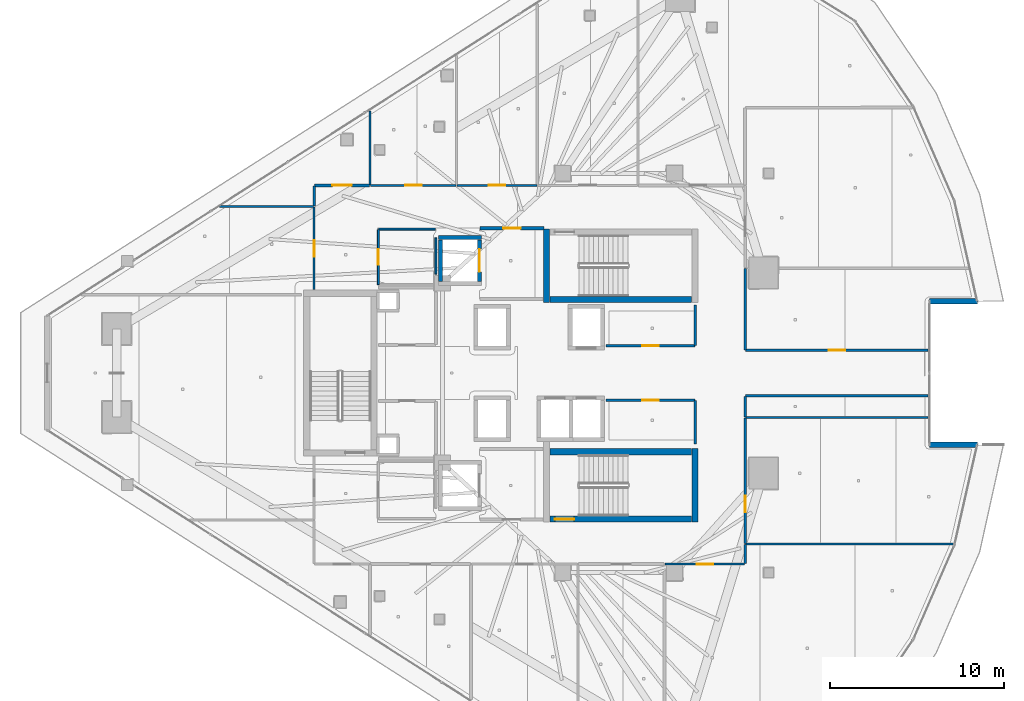
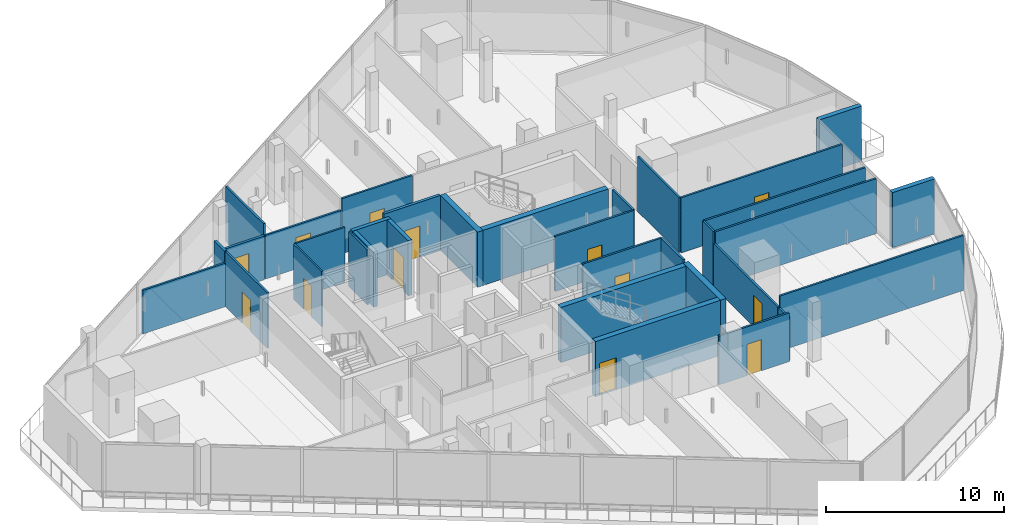
# One storey, part 24 of 33: 34 walls, 13 doors, 13 openings.
"""IFC4 building model written with IfcOpenShell, lengths in metres."""

from ifc_helpers import new_model, si_unit, direction, frame, frame_2d, origin, place, context, subcontext, project, spatial, rectangle, extrude, material, layer, layer_set, type_object, element, fill, save


model = new_model("IFC4")

# Units and contexts
model_context = context("Model", 3, precision=1e-05, world=origin(), true_north=direction((0.0, 1.0)))
body_context = subcontext(model_context, "Body", "Model", "MODEL_VIEW")
ifc_project = project(units=[si_unit("LENGTHUNIT", "METRE"), si_unit("AREAUNIT", "SQUARE_METRE"), si_unit("VOLUMEUNIT", "CUBIC_METRE"), si_unit("PLANEANGLEUNIT", "RADIAN"), si_unit("MASSUNIT", "GRAM", prefix="KILO")], contexts=[model_context])

# Site, building, storey
site_placement = place(None, origin())
site = spatial("IfcSite", under=ifc_project, at=site_placement, CompositionType="ELEMENT")
building_placement = place(site_placement, origin())
building = spatial("IfcBuilding", under=site, at=building_placement, Name="Qorvath Tower", CompositionType="ELEMENT")
storey_placement = place(building_placement, frame((0.0, 0.0, 237.449951171875)))
storey = spatial("IfcBuildingStorey", under=building, at=storey_placement, Name="L55", CompositionType="ELEMENT", Elevation=237.449951171875)

# Wall, opening, door
ifc_material_1 = material(Name="Gypsum shaftliner on steel studs", Category="steel")
ifc_layer_1 = layer(ifc_material_1, 0.179931640625)
ifc_layer_set_1 = layer_set([ifc_layer_1], Name="FW-LOBBY")
wall_type_1 = type_object("IfcWallType", Name="FW-LOBBY", PredefinedType="PARTITIONING", material=ifc_layer_set_1)
wall_1_placement = place(storey_placement, frame((-24.68408203125, 8.300048828125, 0.0), z_axis=(0.0, 0.0, 1.0), x_axis=(-1.0, 0.0, 0.0)))
wall_1 = element("IfcWall", 1, at=wall_1_placement, inside=storey, type_object=wall_type_1, Name="Interior Partition IW-T1-L55-002", PredefinedType="PARTITIONING", context=body_context, shape_type="SweptSolid", body=[
    extrude(rectangle(XDim=3.6708984375, YDim=0.179931640625, at=frame_2d((1.83544921875, 0.0))), origin(), (0.0, 0.0, 1.0), 3.780029296875),
])
opening_1_placement = place(wall_1_placement, frame((1.33544921875, 0.0, 0.0)))
opening_1 = element("IfcOpeningElement", 2, at=opening_1_placement, cuts=wall_1, Name="Opening D-T1-L55-22", PredefinedType="OPENING", context=body_context, shape_type="SweptSolid", body=[
    extrude(rectangle(XDim=1.0, YDim=2.14990234375, at=frame_2d((0.5, 1.074951171875))), frame((0.0, 0.10009765625, 0.0), z_axis=(0.0, -1.0, 0.0), x_axis=(1.0, 0.0, 0.0)), (0.0, 0.0, 1.0), 0.199951171875),
])
ifc_material_2 = material(Name="Painted galvanised hollow metal", Category="steel")
door_type_1 = type_object("IfcDoorType", Name="FD-60", OperationType="NOTDEFINED", PredefinedType="DOOR", material=ifc_material_2)
door_1_placement = place(opening_1_placement, origin())
door_1 = element("IfcDoor", 3, at=door_1_placement, inside=storey, type_object=door_type_1, Name="Lobby Fire Service Elevator North Door D-T1-L55-22", OperationType="SINGLE_SWING_LEFT", OverallHeight=2.14990234375, OverallWidth=1.0, PredefinedType="DOOR", context=body_context, shape_type="SweptSolid", body=[
    extrude(rectangle(XDim=1.0, YDim=2.14990234375, at=frame_2d((0.5, 1.074951171875))), frame((0.0, 0.02490234375, 0.0), z_axis=(0.0, -1.0, 0.0), x_axis=(1.0, 0.0, 0.0)), (0.0, 0.0, 1.0), 0.050048828125),
])
fill(opening_1, door_1)

# Wall
ifc_material_3 = material(Name="Double acoustic gypsum board on steel studs", Category="steel")
ifc_layer_2 = layer(ifc_material_3, 0.159912109375)
ifc_layer_set_2 = layer_set([ifc_layer_2], Name="IW-ACOUSTIC-160")
wall_type_2 = type_object("IfcWallType", Name="IW-ACOUSTIC-160", PredefinedType="PARTITIONING", material=ifc_layer_set_2)
wall_2_placement = place(storey_placement, frame((-37.85791015625, 10.733154296875, 0.0), z_axis=(0.0, 0.0, 1.0), x_axis=(0.0, -1.0, 0.0)))
element("IfcWall", 4, at=wall_2_placement, inside=storey, type_object=wall_type_2, Name="Interior Partition IW-T1-L55-058", PredefinedType="PARTITIONING", context=body_context, shape_type="SweptSolid", body=[
    extrude(rectangle(XDim=1.15966796875, YDim=0.159912109375, at=frame_2d((0.579833984375, 0.0))), origin(), (0.0, 0.0, 1.0), 3.780029296875),
])

# Wall, opening, door
wall_3_placement = place(storey_placement, frame((-37.8330078125, 10.758056640625, 0.0), z_axis=(0.0, 0.0, 1.0), x_axis=(1.0, 0.0, 0.0)))
wall_3 = element("IfcWall", 5, at=wall_3_placement, inside=storey, type_object=wall_type_2, Name="Interior Partition IW-T1-L55-059", PredefinedType="PARTITIONING", context=body_context, shape_type="SweptSolid", body=[
    extrude(rectangle(XDim=3.14990234375, YDim=0.159912109375, at=frame_2d((1.574951171875, 0.0))), origin(), (0.0, 0.0, 1.0), 3.0),
])
opening_2_placement = place(wall_3_placement, frame((1.02490234375, 0.0, 0.0)))
opening_2 = element("IfcOpeningElement", 6, at=opening_2_placement, cuts=wall_3, Name="Opening D-T1-L55-21", PredefinedType="OPENING", context=body_context, shape_type="SweptSolid", body=[
    extrude(rectangle(XDim=1.10009765625, YDim=2.14990234375, at=frame_2d((0.550048828125, 1.074951171875))), frame((0.0, 0.08984375, 0.0), z_axis=(0.0, -1.0, 0.0), x_axis=(1.0, 0.0, 0.0)), (0.0, 0.0, 1.0), 0.179931640625),
])
ifc_material_4 = material(Name="Anodised aluminium acoustic framed glass", Category="aluminium")
door_type_2 = type_object("IfcDoorType", Name="D-03", OperationType="NOTDEFINED", PredefinedType="DOOR", material=ifc_material_4)
door_2_placement = place(opening_2_placement, origin())
door_2 = element("IfcDoor", 7, at=door_2_placement, inside=storey, type_object=door_type_2, Name="L55-15 Digital Visualization Suite Door D-T1-L55-21", OperationType="SINGLE_SWING_RIGHT", OverallHeight=2.14990234375, OverallWidth=1.10009765625, PredefinedType="DOOR", context=body_context, shape_type="SweptSolid", body=[
    extrude(rectangle(XDim=1.10009765625, YDim=2.14990234375, at=frame_2d((0.550048828125, 1.074951171875))), frame((0.0, 0.02490234375, 0.0), z_axis=(0.0, -1.0, 0.0), x_axis=(1.0, 0.0, 0.0)), (0.0, 0.0, 1.0), 0.050048828125),
])
fill(opening_2, door_2)

ifc_material_5 = material(Name="Gypsum board on metal studs with mineral wool", Category="gypsum")
ifc_layer_3 = layer(ifc_material_5, 0.125)
ifc_layer_set_3 = layer_set([ifc_layer_3], Name="IW-PART-125")
wall_type_3 = type_object("IfcWallType", Name="IW-PART-125", PredefinedType="PARTITIONING", material=ifc_layer_set_3)
wall_4_placement = place(storey_placement, frame((-21.1337890625, 1.56005859375, 0.0), z_axis=(0.0, 0.0, 1.0), x_axis=(1.0, 0.0, 0.0)))
wall_4 = element("IfcWall", 8, at=wall_4_placement, inside=storey, type_object=wall_type_3, Name="Interior Partition IW-T1-L55-013", PredefinedType="PARTITIONING", context=body_context, shape_type="SweptSolid", body=[
    extrude(rectangle(XDim=5.10888671875, YDim=0.125, at=frame_2d((2.554443359375, 0.0))), origin(), (0.0, 0.0, 1.0), 3.780029296875),
])
opening_3_placement = place(wall_4_placement, frame((2.079345703125, 0.0, 0.0)))
opening_3 = element("IfcOpeningElement", 9, at=opening_3_placement, cuts=wall_4, Name="Opening D-T1-L55-03", PredefinedType="OPENING", context=body_context, shape_type="SweptSolid", body=[
    extrude(rectangle(XDim=0.949951171875, YDim=2.14990234375, at=frame_2d((0.47509765625, 1.074951171875))), frame((0.0, 0.072509765625, 0.0), z_axis=(0.0, -1.0, 0.0), x_axis=(1.0, 0.0, 0.0)), (0.0, 0.0, 1.0), 0.14501953125),
])
ifc_material_6 = material(Name="Solid-core American white oak veneer", Category="wood")
door_type_3 = type_object("IfcDoorType", Name="D-01", OperationType="NOTDEFINED", PredefinedType="DOOR", material=ifc_material_6)
door_3_placement = place(opening_3_placement, origin())
door_3 = element("IfcDoor", 10, at=door_3_placement, inside=storey, type_object=door_type_3, Name="L55-RCN North Quantitative Server Suite Door D-T1-L55-03", OperationType="SINGLE_SWING_RIGHT", OverallHeight=2.14990234375, OverallWidth=0.949951171875, PredefinedType="DOOR", context=body_context, shape_type="SweptSolid", body=[
    extrude(rectangle(XDim=0.949951171875, YDim=2.14990234375, at=frame_2d((0.47509765625, 1.074951171875))), frame((0.0, 0.02490234375, 0.0), z_axis=(0.0, -1.0, 0.0), x_axis=(1.0, 0.0, 0.0)), (0.0, 0.0, 1.0), 0.050048828125),
])
fill(opening_3, door_3)

# Walls
wall_5_placement = place(storey_placement, frame((-16.0, 1.585205078125, 0.0), z_axis=(0.0, 0.0, 1.0), x_axis=(0.0, 1.0, 0.0)))
element("IfcWall", 11, at=wall_5_placement, inside=storey, type_object=wall_type_3, Name="Interior Partition IW-T1-L55-014", PredefinedType="PARTITIONING", context=body_context, shape_type="SweptSolid", body=[
    extrude(rectangle(XDim=2.30224609375, YDim=0.125, at=frame_2d((1.151123046875, 0.0))), origin(), (0.0, 0.0, 1.0), 3.780029296875),
])
wall_6_placement = place(storey_placement, frame((-16.0, -4.0751953125, 0.0), z_axis=(0.0, 0.0, 1.0), x_axis=(0.0, 1.0, 0.0)))
element("IfcWall", 12, at=wall_6_placement, inside=storey, type_object=wall_type_3, Name="Interior Partition IW-T1-L55-015", PredefinedType="PARTITIONING", context=body_context, shape_type="SweptSolid", body=[
    extrude(rectangle(XDim=2.489990234375, YDim=0.125, at=frame_2d((1.2451171875, 0.0))), origin(), (0.0, 0.0, 1.0), 3.780029296875),
])

# Wall, opening, door
wall_7_placement = place(storey_placement, frame((-16.02490234375, -1.56005859375, 0.0), z_axis=(0.0, 0.0, 1.0), x_axis=(-1.0, 0.0, 0.0)))
wall_7 = element("IfcWall", 13, at=wall_7_placement, inside=storey, type_object=wall_type_3, Name="Interior Partition IW-T1-L55-016", PredefinedType="PARTITIONING", context=body_context, shape_type="SweptSolid", body=[
    extrude(rectangle(XDim=5.10888671875, YDim=0.125, at=frame_2d((2.554443359375, 0.0))), origin(), (0.0, 0.0, 1.0), 3.780029296875),
])
opening_4_placement = place(wall_7_placement, frame((2.079345703125, 0.0, 0.0)))
opening_4 = element("IfcOpeningElement", 14, at=opening_4_placement, cuts=wall_7, Name="Opening D-T1-L55-04", PredefinedType="OPENING", context=body_context, shape_type="SweptSolid", body=[
    extrude(rectangle(XDim=0.949951171875, YDim=2.14990234375, at=frame_2d((0.47509765625, 1.074951171875))), frame((0.0, 0.072509765625, 0.0), z_axis=(0.0, -1.0, 0.0), x_axis=(1.0, 0.0, 0.0)), (0.0, 0.0, 1.0), 0.14501953125),
])
door_4_placement = place(opening_4_placement, origin())
door_4 = element("IfcDoor", 15, at=door_4_placement, inside=storey, type_object=door_type_3, Name="L55-RCS South Quantitative Server Suite Door D-T1-L55-04", OperationType="SINGLE_SWING_LEFT", OverallHeight=2.14990234375, OverallWidth=0.949951171875, PredefinedType="DOOR", context=body_context, shape_type="SweptSolid", body=[
    extrude(rectangle(XDim=0.949951171875, YDim=2.14990234375, at=frame_2d((0.47509765625, 1.074951171875))), frame((0.0, 0.02490234375, 0.0), z_axis=(0.0, -1.0, 0.0), x_axis=(1.0, 0.0, 0.0)), (0.0, 0.0, 1.0), 0.050048828125),
])
fill(opening_4, door_4)

wall_8_placement = place(storey_placement, frame((-34.625, 10.758056640625, 0.0), z_axis=(0.0, 0.0, 1.0), x_axis=(1.0, 0.0, 0.0)))
wall_8 = element("IfcWall", 16, at=wall_8_placement, inside=storey, type_object=wall_type_3, Name="Interior Partition IW-T1-L55-023", PredefinedType="PARTITIONING", context=body_context, shape_type="SweptSolid", body=[
    extrude(rectangle(XDim=4.91259765625, YDim=0.125, at=frame_2d((2.456298828125, 0.0))), origin(), (0.0, 0.0, 1.0), 3.0),
])
opening_5_placement = place(wall_8_placement, frame((1.981201171875, 0.0, 0.0)))
opening_5 = element("IfcOpeningElement", 17, at=opening_5_placement, cuts=wall_8, Name="Opening D-T1-L55-07", PredefinedType="OPENING", context=body_context, shape_type="SweptSolid", body=[
    extrude(rectangle(XDim=0.949951171875, YDim=2.14990234375, at=frame_2d((0.47509765625, 1.074951171875))), frame((0.0, 0.072509765625, 0.0), z_axis=(0.0, -1.0, 0.0), x_axis=(1.0, 0.0, 0.0)), (0.0, 0.0, 1.0), 0.14501953125),
])
door_5_placement = place(opening_5_placement, origin())
door_5 = element("IfcDoor", 18, at=door_5_placement, inside=storey, type_object=door_type_3, Name="L55-01 Staff Wellness Studio Door D-T1-L55-07", OperationType="SINGLE_SWING_RIGHT", OverallHeight=2.14990234375, OverallWidth=0.949951171875, PredefinedType="DOOR", context=body_context, shape_type="SweptSolid", body=[
    extrude(rectangle(XDim=0.949951171875, YDim=2.14990234375, at=frame_2d((0.47509765625, 1.074951171875))), frame((0.0, 0.02490234375, 0.0), z_axis=(0.0, -1.0, 0.0), x_axis=(1.0, 0.0, 0.0)), (0.0, 0.0, 1.0), 0.050048828125),
])
fill(opening_5, door_5)

# Wall
wall_9_placement = place(storey_placement, frame((-34.64990234375, 15.032958984375, 0.0), z_axis=(0.0, 0.0, 1.0), x_axis=(0.0, -1.0, 0.0)))
element("IfcWall", 19, at=wall_9_placement, inside=storey, type_object=wall_type_3, Name="Interior Partition IW-T1-L55-025", PredefinedType="PARTITIONING", context=body_context, shape_type="SweptSolid", body=[
    extrude(rectangle(XDim=4.249755859375, YDim=0.125, at=frame_2d((2.125, 0.0))), origin(), (0.0, 0.0, 1.0), 3.780029296875),
])

# Wall, opening, door
wall_10_placement = place(storey_placement, frame((-29.654296875, 10.758056640625, 0.0), z_axis=(0.0, 0.0, 1.0), x_axis=(1.0, 0.0, 0.0)))
wall_10 = element("IfcWall", 20, at=wall_10_placement, inside=storey, type_object=wall_type_3, Name="Interior Partition IW-T1-L55-026", PredefinedType="PARTITIONING", context=body_context, shape_type="SweptSolid", body=[
    extrude(rectangle(XDim=4.562255859375, YDim=0.125, at=frame_2d((2.28125, 0.0))), origin(), (0.0, 0.0, 1.0), 3.780029296875),
])
opening_6_placement = place(wall_10_placement, frame((1.80615234375, 0.0, 0.0)))
opening_6 = element("IfcOpeningElement", 21, at=opening_6_placement, cuts=wall_10, Name="Opening D-T1-L55-08", PredefinedType="OPENING", context=body_context, shape_type="SweptSolid", body=[
    extrude(rectangle(XDim=0.949951171875, YDim=2.14990234375, at=frame_2d((0.47509765625, 1.074951171875))), frame((0.0, 0.072509765625, 0.0), z_axis=(0.0, -1.0, 0.0), x_axis=(1.0, 0.0, 0.0)), (0.0, 0.0, 1.0), 0.14501953125),
])
door_6_placement = place(opening_6_placement, origin())
door_6 = element("IfcDoor", 22, at=door_6_placement, inside=storey, type_object=door_type_3, Name="L55-02 Design Pin-Up Atelier Door D-T1-L55-08", OperationType="SINGLE_SWING_LEFT", OverallHeight=2.14990234375, OverallWidth=0.949951171875, PredefinedType="DOOR", context=body_context, shape_type="SweptSolid", body=[
    extrude(rectangle(XDim=0.949951171875, YDim=2.14990234375, at=frame_2d((0.47509765625, 1.074951171875))), frame((0.0, 0.02490234375, 0.0), z_axis=(0.0, -1.0, 0.0), x_axis=(1.0, 0.0, 0.0)), (0.0, 0.0, 1.0), 0.050048828125),
])
fill(opening_6, door_6)

# Walls
wall_11_placement = place(storey_placement, frame((-1.20947265625, -9.810302734375, 0.0), z_axis=(0.0, 0.0, 1.0), x_axis=(-0.999999924125, 0.000389551781, 0.0)))
element("IfcWall", 23, at=wall_11_placement, inside=storey, type_object=wall_type_3, Name="Interior Partition IW-T1-L55-040", PredefinedType="PARTITIONING", context=body_context, shape_type="SweptSolid", body=[
    extrude(rectangle(XDim=11.90771484375, YDim=0.125, at=frame_2d((5.953857421875, 0.0))), origin(), (0.0, 0.0, 1.0), 3.780029296875),
])
wall_12_placement = place(storey_placement, frame((-13.14208984375, -9.830810546875, 0.0), z_axis=(0.0, 0.0, 1.0), x_axis=(0.0, -1.0, 0.0)))
element("IfcWall", 24, at=wall_12_placement, inside=storey, type_object=wall_type_3, Name="Interior Partition IW-T1-L55-041", PredefinedType="PARTITIONING", context=body_context, shape_type="SweptSolid", body=[
    extrude(rectangle(XDim=1.102294921875, YDim=0.125, at=frame_2d((0.55126953125, 0.0))), origin(), (0.0, 0.0, 1.0), 3.0),
])

# Wall, opening, door
wall_13_placement = place(storey_placement, frame((-13.1669921875, -10.9580078125, 0.0), z_axis=(0.0, 0.0, 1.0), x_axis=(-1.0, 0.0, 0.0)))
wall_13 = element("IfcWall", 25, at=wall_13_placement, inside=storey, type_object=wall_type_3, Name="Interior Partition IW-T1-L55-042", PredefinedType="PARTITIONING", context=body_context, shape_type="SweptSolid", body=[
    extrude(rectangle(XDim=4.5703125, YDim=0.125, at=frame_2d((2.28515625, 0.0))), origin(), (0.0, 0.0, 1.0), 3.34423828125),
])
opening_7_placement = place(wall_13_placement, frame((1.81005859375, 0.0, 0.0)))
opening_7 = element("IfcOpeningElement", 26, at=opening_7_placement, cuts=wall_13, Name="Opening D-T1-L55-14", PredefinedType="OPENING", context=body_context, shape_type="SweptSolid", body=[
    extrude(rectangle(XDim=0.949951171875, YDim=2.14990234375, at=frame_2d((0.47509765625, 1.074951171875))), frame((0.0, 0.072509765625, 0.0), z_axis=(0.0, -1.0, 0.0), x_axis=(1.0, 0.0, 0.0)), (0.0, 0.0, 1.0), 0.14501953125),
])
door_7_placement = place(opening_7_placement, origin())
door_7 = element("IfcDoor", 27, at=door_7_placement, inside=storey, type_object=door_type_3, Name="L55-08 Engineering Documentation Suite Door D-T1-L55-14", OperationType="SINGLE_SWING_LEFT", OverallHeight=2.14990234375, OverallWidth=0.949951171875, PredefinedType="DOOR", context=body_context, shape_type="SweptSolid", body=[
    extrude(rectangle(XDim=0.949951171875, YDim=2.14990234375, at=frame_2d((0.47509765625, 1.074951171875))), frame((0.0, 0.02490234375, 0.0), z_axis=(0.0, -1.0, 0.0), x_axis=(1.0, 0.0, 0.0)), (0.0, 0.0, 1.0), 0.050048828125),
])
fill(opening_7, door_7)

# Wall
wall_14_placement = place(storey_placement, frame((-2.655517578125, -2.541748046875, 0.0), z_axis=(0.0, 0.0, 1.0), x_axis=(-1.0, 0.0, 0.0)))
element("IfcWall", 28, at=wall_14_placement, inside=storey, type_object=wall_type_3, Name="Interior Partition IW-T1-L55-043", PredefinedType="PARTITIONING", context=body_context, shape_type="SweptSolid", body=[
    extrude(rectangle(XDim=10.461669921875, YDim=0.125, at=frame_2d((5.23095703125, 0.0))), origin(), (0.0, 0.0, 1.0), 3.780029296875),
])

# Wall, opening, door
wall_15_placement = place(storey_placement, frame((-13.14208984375, -2.566650390625, 0.0), z_axis=(0.0, 0.0, 1.0), x_axis=(0.0, -1.0, 0.0)))
wall_15 = element("IfcWall", 29, at=wall_15_placement, inside=storey, type_object=wall_type_3, Name="Interior Partition IW-T1-L55-044", PredefinedType="PARTITIONING", context=body_context, shape_type="SweptSolid", body=[
    extrude(rectangle(XDim=7.2060546875, YDim=0.125, at=frame_2d((3.60302734375, 0.0))), origin(), (0.0, 0.0, 1.0), 3.0),
])
opening_8_placement = place(wall_15_placement, frame((4.468505859375, 0.0, 0.0)))
opening_8 = element("IfcOpeningElement", 30, at=opening_8_placement, cuts=wall_15, Name="Opening D-T1-L55-15", PredefinedType="OPENING", context=body_context, shape_type="SweptSolid", body=[
    extrude(rectangle(XDim=0.949951171875, YDim=2.14990234375, at=frame_2d((0.47509765625, 1.074951171875))), frame((0.0, 0.072509765625, 0.0), z_axis=(0.0, -1.0, 0.0), x_axis=(1.0, 0.0, 0.0)), (0.0, 0.0, 1.0), 0.14501953125),
])
door_8_placement = place(opening_8_placement, origin())
door_8 = element("IfcDoor", 31, at=door_8_placement, inside=storey, type_object=door_type_3, Name="L55-09 Focus Collaboration Pod Door D-T1-L55-15", OperationType="SINGLE_SWING_RIGHT", OverallHeight=2.14990234375, OverallWidth=0.949951171875, PredefinedType="DOOR", context=body_context, shape_type="SweptSolid", body=[
    extrude(rectangle(XDim=0.949951171875, YDim=2.14990234375, at=frame_2d((0.47509765625, 1.074951171875))), frame((0.0, 0.02490234375, 0.0), z_axis=(0.0, -1.0, 0.0), x_axis=(1.0, 0.0, 0.0)), (0.0, 0.0, 1.0), 0.050048828125),
])
fill(opening_8, door_8)

# Wall
wall_16_placement = place(storey_placement, frame((-13.14208984375, 5.98779296875, 0.0), z_axis=(0.0, 0.0, 1.0), x_axis=(0.0, -1.0, 0.0)))
element("IfcWall", 32, at=wall_16_placement, inside=storey, type_object=wall_type_3, Name="Interior Partition IW-T1-L55-046", PredefinedType="PARTITIONING", context=body_context, shape_type="SweptSolid", body=[
    extrude(rectangle(XDim=4.65478515625, YDim=0.125, at=frame_2d((2.327392578125, 0.0))), origin(), (0.0, 0.0, 1.0), 3.780029296875),
])

# Wall, opening, door
wall_17_placement = place(storey_placement, frame((-13.1171875, 1.30810546875, 0.0), z_axis=(0.0, 0.0, 1.0), x_axis=(1.0, 0.0, 0.0)))
wall_17 = element("IfcWall", 33, at=wall_17_placement, inside=storey, type_object=wall_type_3, Name="Interior Partition IW-T1-L55-047", PredefinedType="PARTITIONING", context=body_context, shape_type="SweptSolid", body=[
    extrude(rectangle(XDim=10.461669921875, YDim=0.125, at=frame_2d((5.23095703125, 0.0))), origin(), (0.0, 0.0, 1.0), 3.780029296875),
])
opening_9_placement = place(wall_17_placement, frame((4.755859375, 0.0, 0.0)))
opening_9 = element("IfcOpeningElement", 34, at=opening_9_placement, cuts=wall_17, Name="Opening D-T1-L55-16", PredefinedType="OPENING", context=body_context, shape_type="SweptSolid", body=[
    extrude(rectangle(XDim=0.949951171875, YDim=2.14990234375, at=frame_2d((0.47509765625, 1.074951171875))), frame((0.0, 0.072509765625, 0.0), z_axis=(0.0, -1.0, 0.0), x_axis=(1.0, 0.0, 0.0)), (0.0, 0.0, 1.0), 0.14501953125),
])
door_9_placement = place(opening_9_placement, origin())
door_9 = element("IfcDoor", 35, at=door_9_placement, inside=storey, type_object=door_type_3, Name="L55-10 Staff Refreshment Pantry and Coffee Bar Door D-T1-L55-16", OperationType="SINGLE_SWING_LEFT", OverallHeight=2.14990234375, OverallWidth=0.949951171875, PredefinedType="DOOR", context=body_context, shape_type="SweptSolid", body=[
    extrude(rectangle(XDim=0.949951171875, YDim=2.14990234375, at=frame_2d((0.47509765625, 1.074951171875))), frame((0.0, 0.02490234375, 0.0), z_axis=(0.0, -1.0, 0.0), x_axis=(1.0, 0.0, 0.0)), (0.0, 0.0, 1.0), 0.050048828125),
])
fill(opening_9, door_9)

# Walls
wall_18_placement = place(storey_placement, frame((-13.1171875, -1.30810546875, 0.0), z_axis=(0.0, 0.0, 1.0), x_axis=(1.0, 0.0, 0.0)))
element("IfcWall", 36, at=wall_18_placement, inside=storey, type_object=wall_type_3, Name="Interior Partition IW-T1-L55-048", PredefinedType="PARTITIONING", context=body_context, shape_type="SweptSolid", body=[
    extrude(rectangle(XDim=10.461669921875, YDim=0.125, at=frame_2d((5.23095703125, 0.0))), origin(), (0.0, 0.0, 1.0), 3.780029296875),
])
wall_19_placement = place(storey_placement, frame((-13.14208984375, -1.3330078125, 0.0), z_axis=(0.0, 0.0, 1.0), x_axis=(0.0, -1.0, 0.0)))
element("IfcWall", 37, at=wall_19_placement, inside=storey, type_object=wall_type_3, Name="Interior Partition IW-T1-L55-049", PredefinedType="PARTITIONING", context=body_context, shape_type="SweptSolid", body=[
    extrude(rectangle(XDim=1.17578125, YDim=0.125, at=frame_2d((0.587890625, 0.0))), origin(), (0.0, 0.0, 1.0), 3.780029296875),
])

# Wall, opening, door
wall_20_placement = place(storey_placement, frame((-37.85791015625, 4.783203125, 0.0), z_axis=(0.0, 0.0, 1.0), x_axis=(0.0, 1.0, 0.0)))
wall_20 = element("IfcWall", 38, at=wall_20_placement, inside=storey, type_object=wall_type_3, Name="Interior Partition IW-T1-L55-056", PredefinedType="PARTITIONING", context=body_context, shape_type="SweptSolid", body=[
    extrude(rectangle(XDim=4.732177734375, YDim=0.125, at=frame_2d((2.3662109375, 0.0))), origin(), (0.0, 0.0, 1.0), 3.780029296875),
])
opening_10_placement = place(wall_20_placement, frame((1.89111328125, 0.0, 0.0)))
opening_10 = element("IfcOpeningElement", 39, at=opening_10_placement, cuts=wall_20, Name="Opening D-T1-L55-20", PredefinedType="OPENING", context=body_context, shape_type="SweptSolid", body=[
    extrude(rectangle(XDim=0.949951171875, YDim=2.14990234375, at=frame_2d((0.47509765625, 1.074951171875))), frame((0.0, 0.072509765625, 0.0), z_axis=(0.0, -1.0, 0.0), x_axis=(1.0, 0.0, 0.0)), (0.0, 0.0, 1.0), 0.14501953125),
])
door_10_placement = place(opening_10_placement, origin())
door_10 = element("IfcDoor", 40, at=door_10_placement, inside=storey, type_object=door_type_3, Name="L55-14 Breakout Reading Alcove Door D-T1-L55-20", OperationType="SINGLE_SWING_LEFT", OverallHeight=2.14990234375, OverallWidth=0.949951171875, PredefinedType="DOOR", context=body_context, shape_type="SweptSolid", body=[
    extrude(rectangle(XDim=0.949951171875, YDim=2.14990234375, at=frame_2d((0.47509765625, 1.074951171875))), frame((0.0, 0.02490234375, 0.0), z_axis=(0.0, -1.0, 0.0), x_axis=(1.0, 0.0, 0.0)), (0.0, 0.0, 1.0), 0.050048828125),
])
fill(opening_10, door_10)

# Wall
wall_21_placement = place(storey_placement, frame((-37.8828125, 9.54052734375, 0.0), z_axis=(0.0, 0.0, 1.0), x_axis=(-1.0, 0.0, 0.0)))
element("IfcWall", 41, at=wall_21_placement, inside=storey, type_object=wall_type_3, Name="Interior Partition IW-T1-L55-057", PredefinedType="PARTITIONING", context=body_context, shape_type="SweptSolid", body=[
    extrude(rectangle(XDim=5.406005859375, YDim=0.125, at=frame_2d((2.703125, 0.0))), origin(), (0.0, 0.0, 1.0), 3.0),
])

# Wall, opening, door
ifc_material_7 = material(Name="Moisture-resistant cement board on metal studs", Category="gypsum")
ifc_layer_4 = layer(ifc_material_7, 0.110107421875)
ifc_layer_set_4 = layer_set([ifc_layer_4], Name="IW-WC-110")
wall_type_4 = type_object("IfcWallType", Name="IW-WC-110", PredefinedType="PARTITIONING", material=ifc_layer_set_4)
wall_22_placement = place(storey_placement, frame((-34.179931640625, 8.22509765625, 0.0), z_axis=(0.0, 0.0, 1.0), x_axis=(0.0, -1.0, 0.0)))
wall_22 = element("IfcWall", 42, at=wall_22_placement, inside=storey, type_object=wall_type_4, Name="Interior Partition IW-T1-L55-005", PredefinedType="PARTITIONING", context=body_context, shape_type="SweptSolid", body=[
    extrude(rectangle(XDim=3.150146484375, YDim=0.110107421875, at=frame_2d((1.5751953125, 0.0))), origin(), (0.0, 0.0, 1.0), 3.780029296875),
])
opening_11_placement = place(wall_22_placement, frame((1.135009765625, 0.0, 0.0)))
opening_11 = element("IfcOpeningElement", 43, at=opening_11_placement, cuts=wall_22, Name="Opening D-T1-L55-01", PredefinedType="OPENING", context=body_context, shape_type="SweptSolid", body=[
    extrude(rectangle(XDim=0.8798828125, YDim=2.10009765625, at=frame_2d((0.43994140625, 1.050048828125))), frame((0.0, 0.06494140625, 0.0), z_axis=(0.0, -1.0, 0.0), x_axis=(1.0, 0.0, 0.0)), (0.0, 0.0, 1.0), 0.130126953125),
])
ifc_material_8 = material(Name="Solid-core oak with acoustic drop seal", Category="wood")
door_type_4 = type_object("IfcDoorType", Name="D-02", OperationType="NOTDEFINED", PredefinedType="DOOR", material=ifc_material_8)
door_11_placement = place(opening_11_placement, origin())
door_11 = element("IfcDoor", 44, at=door_11_placement, inside=storey, type_object=door_type_4, Name="WC All-Gender North L55 Door D-T1-L55-01", OperationType="SINGLE_SWING_RIGHT", OverallHeight=2.10009765625, OverallWidth=0.8798828125, PredefinedType="DOOR", context=body_context, shape_type="SweptSolid", body=[
    extrude(rectangle(XDim=0.8798828125, YDim=2.10009765625, at=frame_2d((0.43994140625, 1.050048828125))), frame((0.0, 0.02490234375, 0.0), z_axis=(0.0, -1.0, 0.0), x_axis=(1.0, 0.0, 0.0)), (0.0, 0.0, 1.0), 0.050048828125),
])
fill(opening_11, door_11)

# Walls
wall_23_placement = place(storey_placement, frame((-30.8798828125, 5.6650390625, 0.0), z_axis=(0.0, 0.0, 1.0), x_axis=(0.0, 1.0, 0.0)))
element("IfcWall", 45, at=wall_23_placement, inside=storey, type_object=wall_type_4, Name="Interior Partition IW-T1-L55-007", PredefinedType="PARTITIONING", context=body_context, shape_type="SweptSolid", body=[
    extrude(rectangle(XDim=2.077880859375, YDim=0.110107421875, at=frame_2d((1.0390625, 0.0))), origin(), (0.0, 0.0, 1.0), 3.780029296875),
])
wall_24_placement = place(storey_placement, frame((-30.90478515625, 8.25, 0.0), z_axis=(0.0, 0.0, 1.0), x_axis=(-1.0, 0.0, 0.0)))
element("IfcWall", 46, at=wall_24_placement, inside=storey, type_object=wall_type_4, Name="Interior Partition IW-T1-L55-008", PredefinedType="PARTITIONING", context=body_context, shape_type="SweptSolid", body=[
    extrude(rectangle(XDim=3.25, YDim=0.110107421875, at=frame_2d((1.625, 0.0))), origin(), (0.0, 0.0, 1.0), 3.780029296875),
])
ifc_material_9 = material(Name="Concrete C60/75", Category="concrete")
ifc_layer_5 = layer(ifc_material_9, 0.260009765625)
ifc_layer_set_5 = layer_set([ifc_layer_5], Name="SW-SHAFT")
wall_type_5 = type_object("IfcWallType", Name="SW-SHAFT", PredefinedType="SHEAR", material=ifc_layer_set_5)
wall_25_placement = place(storey_placement, frame((-30.739990234375, 7.77001953125, 0.0), z_axis=(0.0, 0.0, 1.0), x_axis=(1.0, 0.0, 0.0)))
element("IfcWall", 47, at=wall_25_placement, inside=storey, type_object=wall_type_5, Name="Hoistway Wall FSAE-1 L55 N", PredefinedType="SHEAR", context=body_context, shape_type="SweptSolid", body=[
    extrude(rectangle(XDim=2.47998046875, YDim=0.239990234375, at=frame_2d((1.239990234375, 0.0))), origin(), (0.0, 0.0, 1.0), 3.780029296875),
])
wall_26_placement = place(storey_placement, frame((-30.6201171875, 5.261962890625, 0.0), z_axis=(0.0, 0.0, 1.0), x_axis=(0.0, 1.0, 0.0)))
element("IfcWall", 48, at=wall_26_placement, inside=storey, type_object=wall_type_5, Name="Hoistway Wall FSAE-1 L55 W", PredefinedType="SHEAR", context=body_context, shape_type="SweptSolid", body=[
    extrude(rectangle(XDim=2.3759765625, YDim=0.239990234375, at=frame_2d((1.18798828125, 0.0))), origin(), (0.0, 0.0, 1.0), 3.780029296875),
])

# Wall, opening, door
wall_27_placement = place(storey_placement, frame((-28.3798828125, 7.637939453125, 0.0), z_axis=(0.0, 0.0, 1.0), x_axis=(0.0, -1.0, 0.0)))
wall_27 = element("IfcWall", 49, at=wall_27_placement, inside=storey, type_object=wall_type_5, Name="Hoistway Wall FSAE-1 L55 E", PredefinedType="SHEAR", context=body_context, shape_type="SweptSolid", body=[
    extrude(rectangle(XDim=2.3759765625, YDim=0.239990234375, at=frame_2d((1.18798828125, 0.0))), origin(), (0.0, 0.0, 1.0), 3.780029296875),
])
opening_12_placement = place(wall_27_placement, frame((0.537841796875, 0.0, 0.0)))
opening_12 = element("IfcOpeningElement", 50, at=opening_12_placement, cuts=wall_27, Name="Opening LD-FSAE-1-L55", PredefinedType="OPENING", context=body_context, shape_type="SweptSolid", body=[
    extrude(rectangle(XDim=1.300048828125, YDim=2.300048828125, at=frame_2d((0.64990234375, 1.14990234375))), frame((0.0, 0.1298828125, 0.0), z_axis=(0.0, -1.0, 0.0), x_axis=(1.0, 0.0, 0.0)), (0.0, 0.0, 1.0), 0.260009765625),
])
ifc_material_10 = material(Name="Brushed stainless steel AISI 316", Category="steel")
door_type_5 = type_object("IfcDoorType", Name="LD-02", OperationType="NOTDEFINED", PredefinedType="DOOR", material=ifc_material_10)
door_12_placement = place(opening_12_placement, origin())
door_12 = element("IfcDoor", 51, at=door_12_placement, inside=storey, type_object=door_type_5, Name="Elevator Landing Sliding Door LD-FSAE-1-L55", OperationType="DOUBLE_DOOR_SLIDING", OverallHeight=2.300048828125, OverallWidth=1.300048828125, PredefinedType="DOOR", context=body_context, shape_type="SweptSolid", body=[
    extrude(rectangle(XDim=1.300048828125, YDim=2.300048828125, at=frame_2d((0.64990234375, 1.14990234375))), frame((0.0, 0.02490234375, 0.0), z_axis=(0.0, -1.0, 0.0), x_axis=(1.0, 0.0, 0.0)), (0.0, 0.0, 1.0), 0.050048828125),
])
fill(opening_12, door_12)

# Walls
ifc_material_11 = material(Name="Concrete C60/75", Category="concrete")
ifc_layer_6 = layer(ifc_material_11, 0.35009765625)
ifc_layer_set_6 = layer_set([ifc_layer_6], Name="SW-STAIR")
wall_type_6 = type_object("IfcWallType", Name="SW-STAIR", PredefinedType="SHEAR", material=ifc_layer_set_6)
wall_28_placement = place(storey_placement, frame((-24.52490234375, 8.260009765625, 0.0), z_axis=(0.0, 0.0, 1.0), x_axis=(0.0, -1.0, 0.0)))
element("IfcWall", 52, at=wall_28_placement, inside=storey, type_object=wall_type_6, Name="Stair TS1 Shear Wall L55 NEAR", PredefinedType="SHEAR", context=body_context, shape_type="SweptSolid", body=[
    extrude(rectangle(XDim=4.2099609375, YDim=0.35009765625, at=frame_2d((2.10498046875, 0.0))), origin(), (0.0, 0.0, 1.0), 3.780029296875),
])
wall_29_placement = place(storey_placement, frame((-24.3349609375, 4.22509765625, 0.0), z_axis=(0.0, 0.0, 1.0), x_axis=(1.0, 0.0, 0.0)))
element("IfcWall", 53, at=wall_29_placement, inside=storey, type_object=wall_type_6, Name="Stair TS1 Shear Wall L55 LEFT", PredefinedType="SHEAR", context=body_context, shape_type="SweptSolid", body=[
    extrude(rectangle(XDim=8.119873046875, YDim=0.35009765625, at=frame_2d((4.06005859375, 0.0))), origin(), (0.0, 0.0, 1.0), 3.780029296875),
])
wall_30_placement = place(storey_placement, frame((-16.02490234375, -8.550048828125, 0.0), z_axis=(0.0, 0.0, 1.0), x_axis=(0.0, 1.0, 0.0)))
element("IfcWall", 54, at=wall_30_placement, inside=storey, type_object=wall_type_6, Name="Stair TS2 Shear Wall L55 FAR", PredefinedType="SHEAR", context=body_context, shape_type="SweptSolid", body=[
    extrude(rectangle(XDim=4.2099609375, YDim=0.35009765625, at=frame_2d((2.10498046875, 0.0))), origin(), (0.0, 0.0, 1.0), 3.780029296875),
])

# Wall, opening, door
wall_31_placement = place(storey_placement, frame((-24.3349609375, -8.375, 0.0), z_axis=(0.0, 0.0, 1.0), x_axis=(1.0, 0.0, 0.0)))
wall_31 = element("IfcWall", 55, at=wall_31_placement, inside=storey, type_object=wall_type_6, Name="Stair TS2 Shear Wall L55 LEFT", PredefinedType="SHEAR", context=body_context, shape_type="SweptSolid", body=[
    extrude(rectangle(XDim=8.119873046875, YDim=0.35009765625, at=frame_2d((4.06005859375, 0.0))), origin(), (0.0, 0.0, 1.0), 3.780029296875),
])
opening_13_placement = place(wall_31_placement, frame((0.280029296875, 0.0, 0.0)))
opening_13 = element("IfcOpeningElement", 56, at=opening_13_placement, cuts=wall_31, Name="Opening D-TS2-L55", PredefinedType="OPENING", context=body_context, shape_type="SweptSolid", body=[
    extrude(rectangle(XDim=1.10009765625, YDim=2.199951171875, at=frame_2d((0.550048828125, 1.10009765625))), frame((0.0, 0.18505859375, 0.0), z_axis=(0.0, -1.0, 0.0), x_axis=(1.0, 0.0, 0.0)), (0.0, 0.0, 1.0), 0.3701171875),
])
ifc_material_12 = material(Name="Painted galvanised hollow metal", Category="steel")
door_type_6 = type_object("IfcDoorType", Name="FD-90", OperationType="NOTDEFINED", PredefinedType="DOOR", material=ifc_material_12)
door_13_placement = place(opening_13_placement, origin())
door_13 = element("IfcDoor", 57, at=door_13_placement, inside=storey, type_object=door_type_6, Name="Stair TS2 Fire Door L55", OperationType="SINGLE_SWING_RIGHT", OverallHeight=2.199951171875, OverallWidth=1.10009765625, PredefinedType="DOOR", context=body_context, shape_type="SweptSolid", body=[
    extrude(rectangle(XDim=1.10009765625, YDim=2.199951171875, at=frame_2d((0.550048828125, 1.10009765625))), frame((0.0, 0.02490234375, 0.0), z_axis=(0.0, -1.0, 0.0), x_axis=(1.0, 0.0, 0.0)), (0.0, 0.0, 1.0), 0.050048828125),
])
fill(opening_13, door_13)

# Walls
wall_32_placement = place(storey_placement, frame((-16.215087890625, -4.514892578125, 0.0), z_axis=(0.0, 0.0, 1.0), x_axis=(-1.0, 0.0, 0.0)))
element("IfcWall", 58, at=wall_32_placement, inside=storey, type_object=wall_type_6, Name="Stair TS2 Shear Wall L55 RIGHT", PredefinedType="SHEAR", context=body_context, shape_type="SweptSolid", body=[
    extrude(rectangle(XDim=8.119873046875, YDim=0.35009765625, at=frame_2d((4.06005859375, 0.0))), origin(), (0.0, 0.0, 1.0), 3.780029296875),
])
ifc_material_13 = material(Name="Precast concrete C45/55", Category="concrete")
ifc_layer_7 = layer(ifc_material_13, 0.300048828125)
ifc_layer_set_7 = layer_set([ifc_layer_7], Name="WL-EW-LOG-300")
wall_type_7 = type_object("IfcWallType", Name="WL-EW-LOG-300", PredefinedType="SOLIDWALL", material=ifc_layer_set_7)
for number, where, z_axis, x_axis, name in (
    (59, (0.167724609375, -4.11474609375, 0.0), (0.0, 0.0, 1.0), (-1.0, 0.0, 0.0), "Tower Precast Loggia Wall L55-8.1"),
    (60, (-2.575439453125, 4.11474609375, 0.0), (0.0, 0.0, 1.0), (1.0, 0.0, 0.0), "Tower Precast Loggia Wall L55-10.1"),
):
    element("IfcWall", number, at=place(storey_placement, frame(where, z_axis=z_axis, x_axis=x_axis)), inside=storey, type_object=wall_type_7, Name=name, PredefinedType="SOLIDWALL", context=body_context, shape_type="SweptSolid", body=[
        extrude(rectangle(XDim=2.7431640625, YDim=0.300048828125, at=frame_2d((1.37158203125, 0.0))), origin(), (0.0, 0.0, 1.0), 3.780029296875),
    ])

save(model, "model.ifc")
